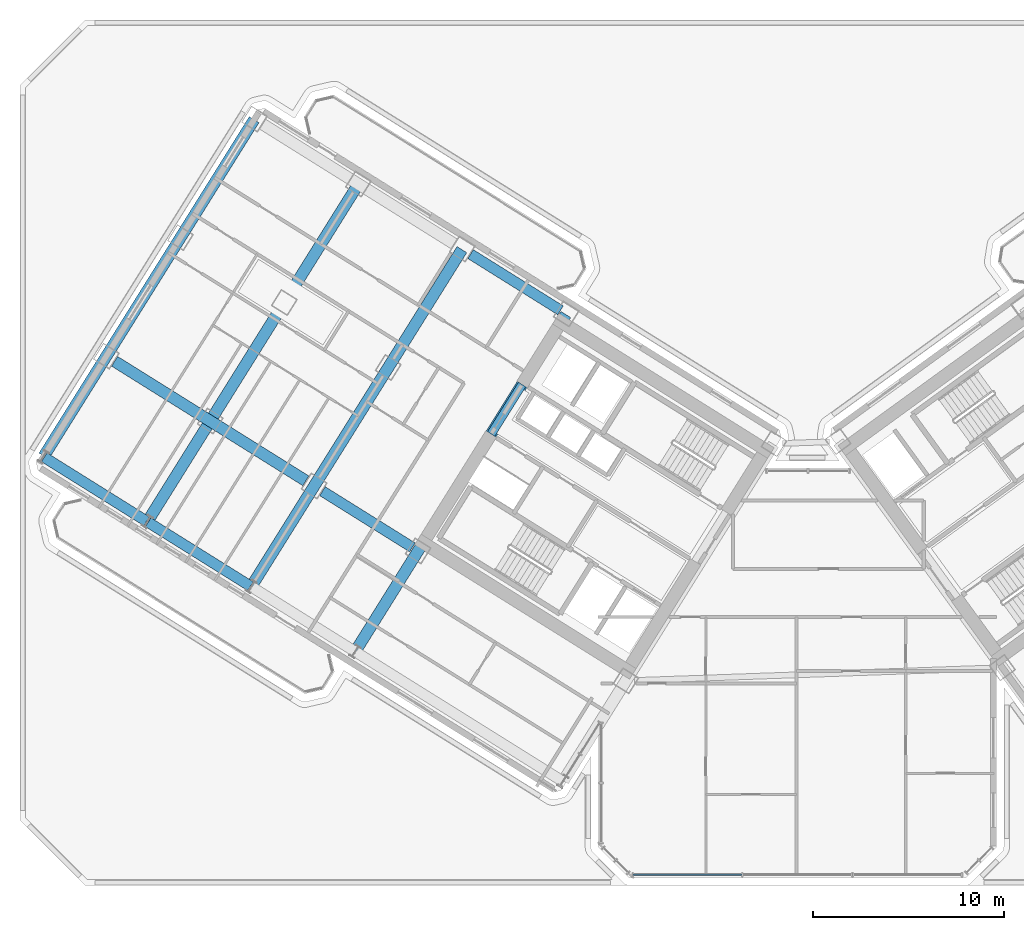
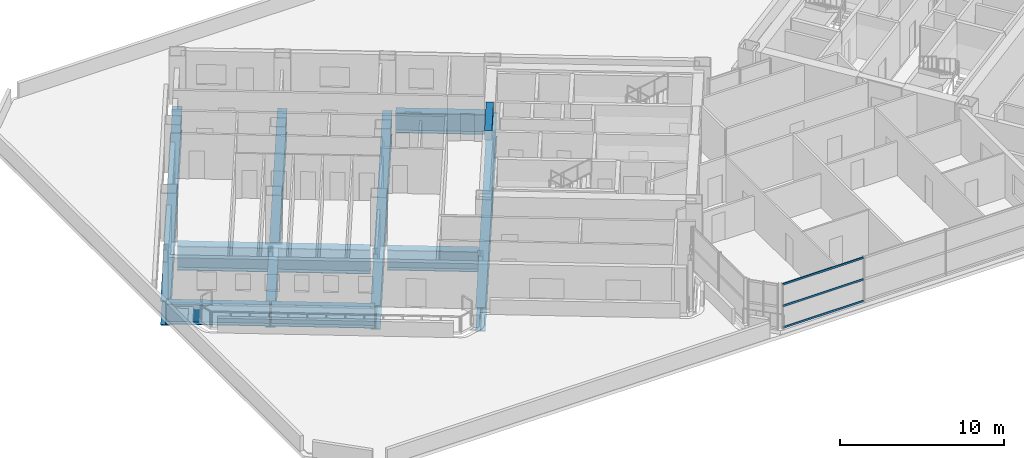
# One storey, part 6 of 28: 10 beams, 3 members, 1 element without a shape of its own.
"""IFC4 building model written with IfcOpenShell, lengths in metres."""

from ifc_helpers import new_model, si_unit, direction, frame, origin, origin_2d, place, context, subcontext, project, spatial, rectangle, hollow_rectangle, i_section, extrude, source, transform, mapped, material, material_profile, profile_set, type_object, element, aggregate, save


model = new_model("IFC4")

# Units and contexts
model_context = context("Model", 3, precision=1e-05, world=origin(), true_north=direction((0.0, 1.0)))
body_context = subcontext(model_context, "Body", "Model", "MODEL_VIEW")
ifc_project = project(units=[si_unit("LENGTHUNIT", "METRE"), si_unit("AREAUNIT", "SQUARE_METRE"), si_unit("VOLUMEUNIT", "CUBIC_METRE"), si_unit("PLANEANGLEUNIT", "RADIAN"), si_unit("MASSUNIT", "GRAM", prefix="KILO")], contexts=[model_context])

# Site, building, storey
site_placement = place(None, origin())
site = spatial("IfcSite", under=ifc_project, at=site_placement, CompositionType="ELEMENT")
building_placement = place(site_placement, origin())
building = spatial("IfcBuilding", under=site, at=building_placement, Name="Tlacorven Tower", CompositionType="ELEMENT")
storey_placement = place(building_placement, frame((0.0, 0.0, 24.0)))
storey = spatial("IfcBuildingStorey", under=building, at=storey_placement, Name="L05", CompositionType="ELEMENT", Elevation=24.0)

# Beams
ifc_material_1 = material(Name="Concrete C60/75", Category="concrete")
ifc_material_profile_1 = material_profile(ifc_material_1, rectangle(XDim=0.449951171875, YDim=0.699951171875, at=origin_2d()), Name="RC 450X700")
ifc_profile_set_1 = profile_set([ifc_material_profile_1], Name="Concrete C60/75")
beam_type_1 = type_object("IfcBeamType", Name="BM-LNT-700", PredefinedType="LINTEL", material=ifc_profile_set_1)
shared_shape_1 = source(origin(), body_context, "Body", "SweptSolid", [
    extrude(rectangle(XDim=0.449951171875, YDim=0.699951171875, at=origin_2d()), origin(), (0.0, 0.0, 1.0), 3.0498046875),
])
beam_1_placement = place(storey_placement, frame((27.622802734375, 27.562255859375, 3.0), z_axis=(-0.529926983584, -0.848043272522, 0.0), x_axis=(0.848043272522, -0.529926983584, 0.0)))
element("IfcBeam", 1, at=beam_1_placement, inside=storey, type_object=beam_type_1, Name="L05 W core coupling lintel beam E2", PredefinedType="LINTEL", context=body_context, shape_type="MappedRepresentation", body=[
    mapped(shared_shape_1, transform((0.0, 0.0, 0.0), scale=1.0)),
])
ifc_material_2 = material(Name="Steel S460M", Category="steel")
ifc_material_profile_2 = material_profile(ifc_material_2, i_section(OverallWidth=0.550048828125, OverallDepth=1.5, WebThickness=0.02490234375, FlangeThickness=0.0380859375, at=origin_2d()), Name="PG 1500X550X25X38")
ifc_profile_set_2 = profile_set([ifc_material_profile_2], Name="Steel S460M")
beam_type_2 = type_object("IfcBeamType", Name="BM-TRG-1500", PredefinedType="USERDEFINED", material=ifc_profile_set_2)
shared_shape_2 = source(origin(), body_context, "Body", "SweptSolid", [
    extrude(i_section(OverallWidth=0.550048828125, OverallDepth=1.5, WebThickness=0.02490234375, FlangeThickness=0.0380859375, at=origin_2d()), origin(), (0.0, 0.0, 1.0), 5.5400390625),
])
for number, where, z_axis, x_axis, name in (
    (2, (29.631103515625, 31.436767578125, -1.199951171875), (-0.848047815099, 0.529919714018, 0.0), (-0.529919714018, -0.848047815099, 0.0), "L05 beam TG-L05-W1-1"),
    (3, (21.894287109375, 19.055419921875, -1.199951171875), (-0.848067619083, 0.529888019739, 0.0), (-0.529888019739, -0.848067619083, 0.0), "L05 beam TG-L05-W1-2"),
):
    element("IfcBeam", number, at=place(storey_placement, frame(where, z_axis=z_axis, x_axis=x_axis)), inside=storey, type_object=beam_type_2, Name=name, ObjectType="TRANSFER GIRDER", PredefinedType="USERDEFINED", context=body_context, shape_type="MappedRepresentation", body=[
        mapped(shared_shape_2, transform((0.0, 0.0, 0.0), scale=1.0)),
    ])
ifc_material_profile_3 = material_profile(ifc_material_2, i_section(OverallWidth=0.60009765625, OverallDepth=1.800048828125, WebThickness=0.028076171875, FlangeThickness=0.0400390625, at=origin_2d()), Name="PG 1800X600X28X40")
ifc_profile_set_3 = profile_set([ifc_material_profile_3], Name="Steel S460M")
beam_type_3 = type_object("IfcBeamType", Name="BM-TRG-1800", PredefinedType="USERDEFINED", material=ifc_profile_set_3)
shared_shape_3 = source(origin(), body_context, "Body", "SweptSolid", [
    extrude(i_section(OverallWidth=0.60009765625, OverallDepth=1.800048828125, WebThickness=0.028076171875, FlangeThickness=0.0400390625, at=origin_2d()), origin(), (0.0, 0.0, 1.0), 11.780029296875),
])
beam_2_placement = place(storey_placement, frame((16.3310546875, 22.531494140625, -1.35009765625), z_axis=(-0.848048366356, 0.529918831823, 0.0), x_axis=(-0.529918831823, -0.848048366356, 0.0)))
element("IfcBeam", 4, at=beam_2_placement, inside=storey, type_object=beam_type_3, Name="L05 beam TG-L05-W2-2", ObjectType="TRANSFER GIRDER", PredefinedType="USERDEFINED", context=body_context, shape_type="MappedRepresentation", body=[
    mapped(shared_shape_3, transform((0.0, 0.0, 0.0), scale=1.0)),
])
shared_shape_4 = source(origin(), body_context, "Body", "SweptSolid", [
    extrude(i_section(OverallWidth=0.60009765625, OverallDepth=1.800048828125, WebThickness=0.028076171875, FlangeThickness=0.0400390625, at=origin_2d()), origin(), (0.0, 0.0, 1.0), 20.719970703125),
])
for number, where, z_axis, x_axis, name in (
    (5, (29.90673828125, 31.217529296875, -1.35009765625), (-0.529921621162, -0.84804662338, 0.0), (0.84804662338, -0.529921621162, 0.0), "L05 beam TG-L05-WB3"),
    (6, (24.479248046875, 34.60888671875, -1.35009765625), (-0.529921621162, -0.84804662338, 0.0), (0.84804662338, -0.529921621162, 0.0), "L05 beam TG-L05-WB4"),
    (7, (19.0517578125, 38.00048828125, -1.35009765625), (-0.529921621162, -0.84804662338, 0.0), (0.84804662338, -0.529921621162, 0.0), "L05 beam TG-L05-WB5"),
    (8, (13.624267578125, 41.391845703125, -1.35009765625), (-0.529921621162, -0.84804662338, 0.0), (0.84804662338, -0.529921621162, 0.0), "L05 beam TG-L05-WB6"),
):
    element("IfcBeam", number, at=place(storey_placement, frame(where, z_axis=z_axis, x_axis=x_axis)), inside=storey, type_object=beam_type_3, Name=name, ObjectType="TRANSFER GIRDER", PredefinedType="USERDEFINED", context=body_context, shape_type="MappedRepresentation", body=[
        mapped(shared_shape_4, transform((0.0, 0.0, 0.0), scale=1.0)),
    ])
shared_shape_5 = source(origin(), body_context, "Body", "SweptSolid", [
    extrude(i_section(OverallWidth=0.550048828125, OverallDepth=1.5, WebThickness=0.02490234375, FlangeThickness=0.0380859375, at=origin_2d()), origin(), (0.0, 0.0, 1.0), 6.300048828125),
])
for number, where, z_axis, x_axis, name in (
    (9, (13.435791015625, 17.030029296875, -1.199951171875), (-0.848059257352, 0.529901402168, 0.0), (-0.529901402168, -0.848059257352, 0.0), "L05 beam TG-L05-WS4"),
    (10, (8.00830078125, 20.42138671875, -1.199951171875), (-0.848041842361, 0.529929272267, 0.0), (-0.529929272267, -0.848041842361, 0.0), "L05 beam TG-L05-WS5"),
):
    element("IfcBeam", number, at=place(storey_placement, frame(where, z_axis=z_axis, x_axis=x_axis)), inside=storey, type_object=beam_type_2, Name=name, ObjectType="TRANSFER GIRDER", PredefinedType="USERDEFINED", context=body_context, shape_type="MappedRepresentation", body=[
        mapped(shared_shape_5, transform((0.0, 0.0, 0.0), scale=1.0)),
    ])

# Curtain wall, members
ifc_material_3 = material(Name="Dark solar low-E double glazing in aluminium frame", Category="aluminium")
curtain_wall_type = type_object("IfcCurtainWallType", Name="CW-TWR-LOW", PredefinedType="USERDEFINED", material=ifc_material_3)
curtain_wall_placement = place(storey_placement, origin())
curtain_wall = element("IfcCurtainWall", 11, at=curtain_wall_placement, inside=storey, type_object=curtain_wall_type, Name="L05 CW-TWR-LOW Curtain Wall 22", ObjectType="UNITISED CURTAIN WALL", PredefinedType="USERDEFINED")
ifc_material_4 = material(Name="Aluminium 6063-T6 anodised", Category="aluminium")
ifc_material_profile_4 = material_profile(ifc_material_4, hollow_rectangle(XDim=0.06005859375, YDim=0.139892578125, WallThickness=0.00390625, at=origin_2d()), Name="ALU TRANSOM 60X140")
ifc_profile_set_4 = profile_set([ifc_material_profile_4], Name="Aluminium 6063-T6 anodised")
member_type = type_object("IfcMemberType", Name="CWT-02", PredefinedType="USERDEFINED", material=ifc_profile_set_4)
shared_shape_6 = source(origin(), body_context, "Body", "SweptSolid", [
    extrude(hollow_rectangle(XDim=0.06005859375, YDim=0.139892578125, WallThickness=0.00390625, at=origin_2d()), origin(), (0.0, 0.0, 1.0), 5.6748046875),
])
member_1_placement = place(storey_placement, frame((39.09912109375, 1.9599609375, 0.070068359375), z_axis=(-1.0, 0.0, 0.0), x_axis=(0.0, -1.0, 0.0)))
member_1 = element("IfcMember", 12, at=member_1_placement, type_object=member_type, Name="CW-L05-022 Transom 7", ObjectType="TRANSOM", PredefinedType="USERDEFINED", context=body_context, shape_type="MappedRepresentation", body=[
    mapped(shared_shape_6, transform((0.0, 0.0, 0.0), scale=1.0)),
])
member_2_placement = place(storey_placement, frame((39.09912109375, 1.9599609375, 1.675048828125), z_axis=(-1.0, 0.0, 0.0), x_axis=(0.0, -1.0, 0.0)))
member_2 = element("IfcMember", 13, at=member_2_placement, type_object=member_type, Name="CW-L05-022 Transom 8", ObjectType="TRANSOM", PredefinedType="USERDEFINED", context=body_context, shape_type="MappedRepresentation", body=[
    mapped(shared_shape_6, transform((0.0, 0.0, 0.0), scale=1.0)),
])
member_3_placement = place(storey_placement, frame((39.09912109375, 1.9599609375, 3.280029296875), z_axis=(-1.0, 0.0, 0.0), x_axis=(0.0, -1.0, 0.0)))
member_3 = element("IfcMember", 14, at=member_3_placement, type_object=member_type, Name="CW-L05-022 Transom 9", ObjectType="TRANSOM", PredefinedType="USERDEFINED", context=body_context, shape_type="MappedRepresentation", body=[
    mapped(shared_shape_6, transform((0.0, 0.0, 0.0), scale=1.0)),
])
aggregate(curtain_wall, [member_1, member_2, member_3])

save(model, "model.ifc")
